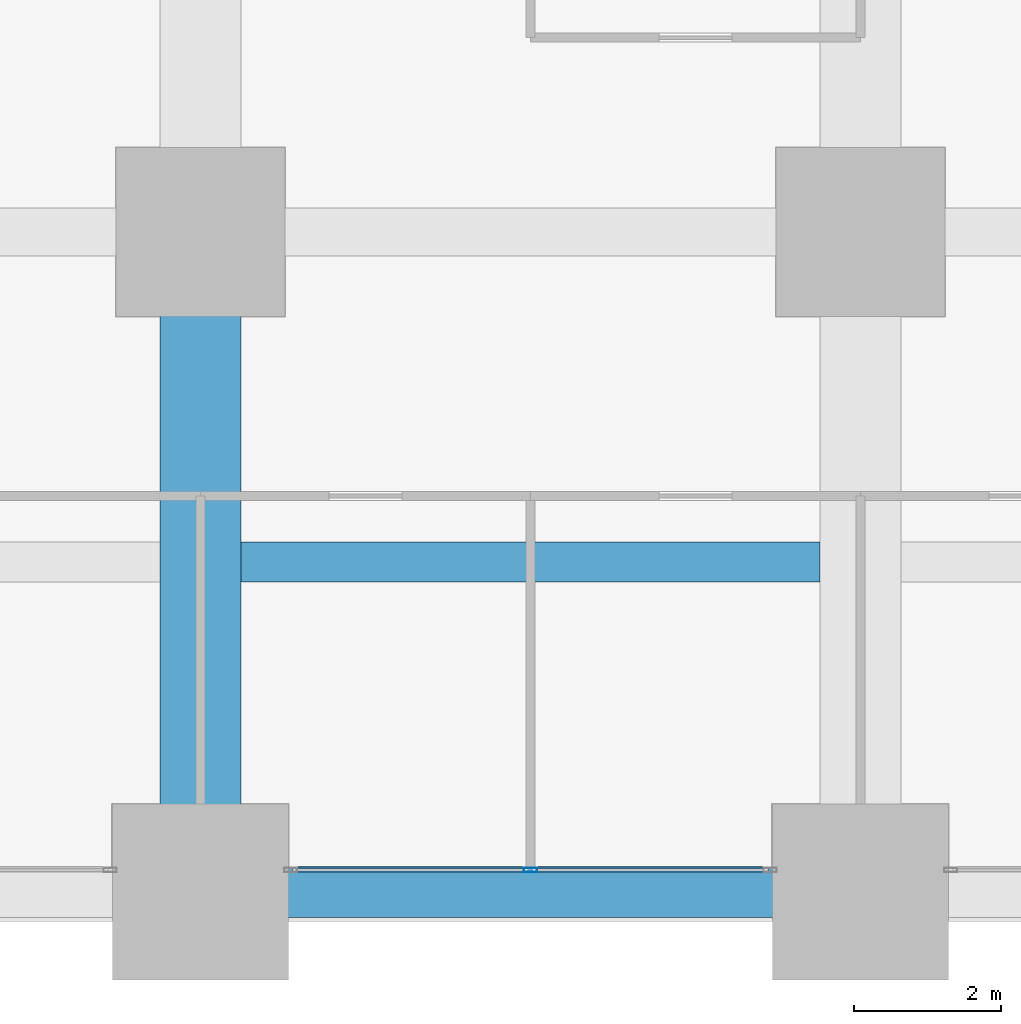
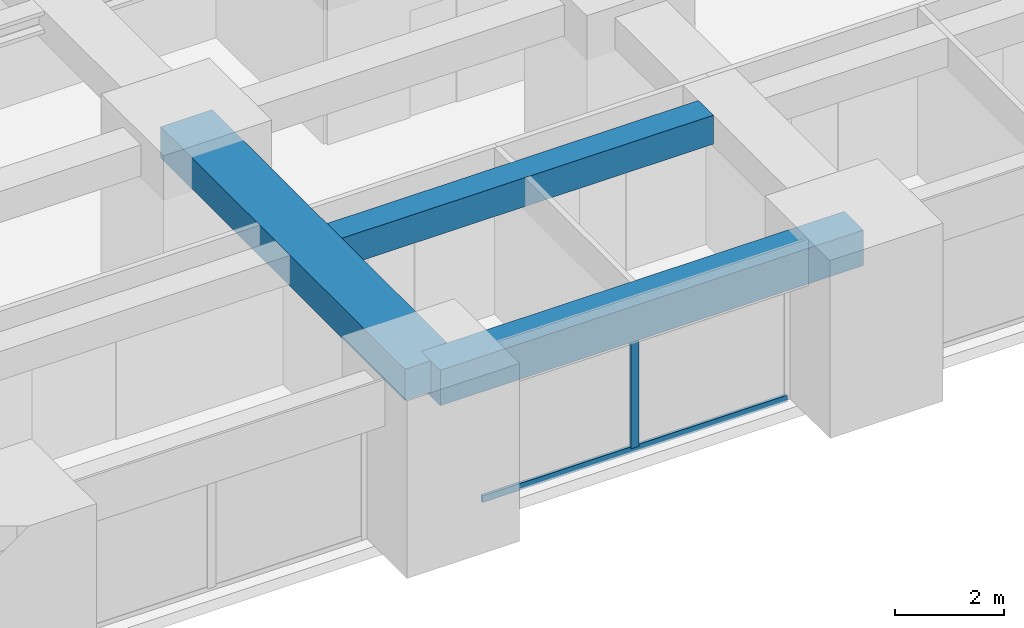
# One storey, part 11 of 39: 3 beams, 2 members, 1 element without a shape of its own.
"""IFC4 building model written with IfcOpenShell, lengths in metres."""

from ifc_helpers import new_model, si_unit, direction, frame, origin, origin_2d, place, context, subcontext, project, spatial, rectangle, hollow_rectangle, extrude, material, material_profile, profile_set, type_object, element, aggregate, save


model = new_model("IFC4")

# Units and contexts
model_context = context("Model", 3, precision=1e-05, world=origin(), true_north=direction((0.0, 1.0)))
body_context = subcontext(model_context, "Body", "Model", "MODEL_VIEW")
ifc_project = project(units=[si_unit("LENGTHUNIT", "METRE"), si_unit("AREAUNIT", "SQUARE_METRE"), si_unit("VOLUMEUNIT", "CUBIC_METRE"), si_unit("PLANEANGLEUNIT", "RADIAN"), si_unit("MASSUNIT", "GRAM", prefix="KILO")], contexts=[model_context])

# Site, building, storey
site_placement = place(None, origin())
site = spatial("IfcSite", under=ifc_project, at=site_placement, CompositionType="ELEMENT")
building_placement = place(site_placement, origin())
building = spatial("IfcBuilding", under=site, at=building_placement, Name="Zorevar Civic Tower", CompositionType="ELEMENT")
storey_placement = place(building_placement, frame((0.0, 0.0, 19.800048828125)))
storey = spatial("IfcBuildingStorey", under=building, at=storey_placement, Name="L04", CompositionType="ELEMENT", Elevation=19.800048828125)

# Beams
ifc_material_1 = material(Name="Concrete C50/60", Category="concrete")
ifc_material_profile_1 = material_profile(ifc_material_1, rectangle(XDim=1.10009765625, YDim=0.699951171875, at=origin_2d()), Name="RC 1100x700")
ifc_profile_set_1 = profile_set([ifc_material_profile_1], Name="Concrete C50/60")
beam_type_1 = type_object("IfcBeamType", Name="Beam RC 1100x700", PredefinedType="BEAM", material=ifc_profile_set_1)
beam_1_placement = place(storey_placement, frame((36.0, 0.0, 3.39990234375), z_axis=(0.0, 1.0, 0.0), x_axis=(-1.0, 0.0, 0.0)))
element("IfcBeam", 1, at=beam_1_placement, inside=storey, type_object=beam_type_1, Name="Girder L05", PredefinedType="BEAM", context=body_context, shape_type="SweptSolid", body=[
    extrude(rectangle(XDim=1.10009765625, YDim=0.699951171875, at=origin_2d()), origin(), (0.0, 0.0, 1.0), 9.0),
])
ifc_material_2 = material(Name="Concrete C50/60", Category="concrete")
ifc_material_profile_2 = material_profile(ifc_material_2, rectangle(XDim=0.550048828125, YDim=0.64990234375, at=origin_2d()), Name="RC 550x650")
ifc_profile_set_2 = profile_set([ifc_material_profile_2], Name="Concrete C50/60")
beam_type_2 = type_object("IfcBeamType", Name="Beam RC 550x650", PredefinedType="BEAM", material=ifc_profile_set_2)
beam_2_placement = place(storey_placement, frame((36.550048828125, 4.5, 3.425048828125), z_axis=(1.0, 0.0, 0.0), x_axis=(0.0, 1.0, 0.0)))
element("IfcBeam", 2, at=beam_2_placement, inside=storey, type_object=beam_type_2, Name="Secondary beam L05", PredefinedType="BEAM", context=body_context, shape_type="SweptSolid", body=[
    extrude(rectangle(XDim=0.550048828125, YDim=0.64990234375, at=origin_2d()), origin(), (0.0, 0.0, 1.0), 7.89990234375),
])

# Curtain wall, members
ifc_material_3 = material(Name="Dark grey solar-control glass in black aluminium frame", Category="aluminium")
curtain_wall_type = type_object("IfcCurtainWallType", Name="Curtain wall CW2 low zone", PredefinedType="NOTDEFINED", material=ifc_material_3)
curtain_wall_placement = place(storey_placement, origin())
curtain_wall = element("IfcCurtainWall", 3, at=curtain_wall_placement, inside=storey, type_object=curtain_wall_type, Name="CW2 L04", PredefinedType="NOTDEFINED")
ifc_material_4 = material(Name="Aluminium, black anodised", Category="aluminium")
ifc_material_profile_3 = material_profile(ifc_material_4, hollow_rectangle(XDim=0.06005859375, YDim=0.179931640625, WallThickness=0.00390625, at=origin_2d()), Name="AL 180x60x4")
ifc_profile_set_3 = profile_set([ifc_material_profile_3], Name="Aluminium, black anodised")
member_type_1 = type_object("IfcMemberType", Name="CW2 mullion AL 180x60x4", PredefinedType="MULLION", material=ifc_profile_set_3)
member_1_placement = place(storey_placement, frame((40.5, 0.300048828125, 0.06005859375), z_axis=(0.0, 0.0, 1.0), x_axis=(0.0, 1.0, 0.0)))
member_1 = element("IfcMember", 4, at=member_1_placement, type_object=member_type_1, Name="CW2 mullion 2", PredefinedType="MULLION", context=body_context, shape_type="SweptSolid", body=[
    extrude(hollow_rectangle(XDim=0.06005859375, YDim=0.179931640625, WallThickness=0.00390625, at=origin_2d()), origin(), (0.0, 0.0, 1.0), 2.889892578125),
])
ifc_material_5 = material(Name="Aluminium, black anodised", Category="aluminium")
ifc_material_profile_4 = material_profile(ifc_material_5, hollow_rectangle(XDim=0.06005859375, YDim=0.14990234375, WallThickness=0.00390625, at=origin_2d()), Name="AL 150x60x4")
ifc_profile_set_4 = profile_set([ifc_material_profile_4], Name="Aluminium, black anodised")
member_type_2 = type_object("IfcMemberType", Name="CW2 transom AL 150x60x4", PredefinedType="USERDEFINED", material=ifc_profile_set_4)
member_2_placement = place(storey_placement, frame((37.260009765625, 0.300048828125, 0.030029296875), z_axis=(1.0, 0.0, 0.0), x_axis=(0.0, 1.0, 0.0)))
member_2 = element("IfcMember", 5, at=member_2_placement, type_object=member_type_2, Name="CW2 sill transom", ObjectType="TRANSOM", PredefinedType="USERDEFINED", context=body_context, shape_type="SweptSolid", body=[
    extrude(hollow_rectangle(XDim=0.06005859375, YDim=0.14990234375, WallThickness=0.00390625, at=origin_2d()), origin(), (0.0, 0.0, 1.0), 6.47998046875),
])
aggregate(curtain_wall, [member_1, member_2])

# Beam
ifc_material_6 = material(Name="Concrete C50/60", Category="concrete")
ifc_material_profile_5 = material_profile(ifc_material_6, rectangle(XDim=0.699951171875, YDim=0.800048828125, at=origin_2d()), Name="RC 700x800")
ifc_profile_set_5 = profile_set([ifc_material_profile_5], Name="Concrete C50/60")
beam_type_3 = type_object("IfcBeamType", Name="Edge beam RC 700x800", PredefinedType="SPANDREL", material=ifc_profile_set_5)
beam_3_placement = place(storey_placement, frame((36.0, 0.0, 3.349853515625), z_axis=(1.0, 0.0, 0.0), x_axis=(0.0, 1.0, 0.0)))
element("IfcBeam", 6, at=beam_3_placement, inside=storey, type_object=beam_type_3, Name="Edge beam L05", PredefinedType="SPANDREL", context=body_context, shape_type="SweptSolid", body=[
    extrude(rectangle(XDim=0.699951171875, YDim=0.800048828125, at=origin_2d()), origin(), (0.0, 0.0, 1.0), 9.0),
])

save(model, "model.ifc")
